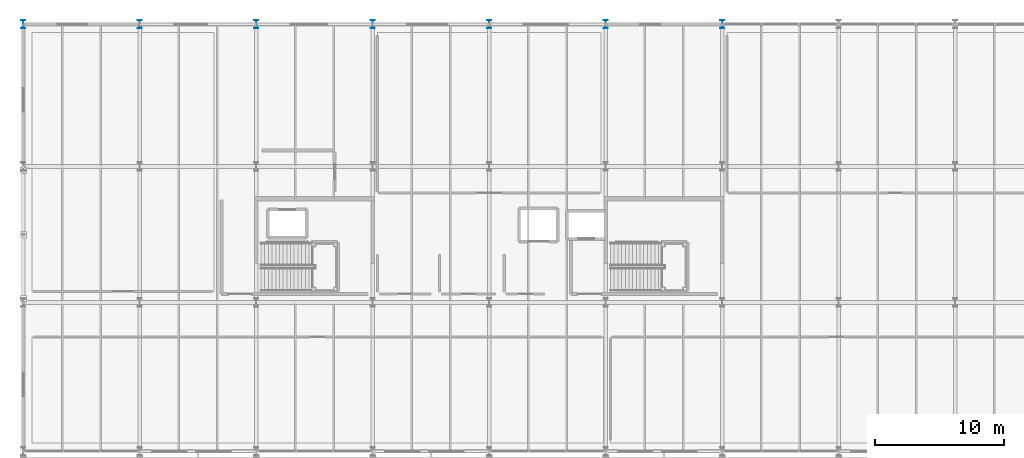
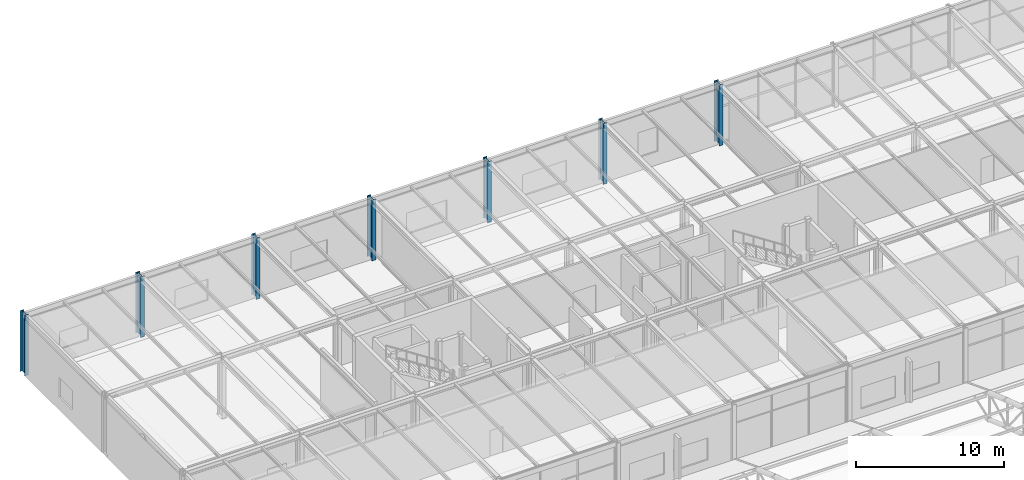
# One storey, part 13 of 195: 7 columns.
"""IFC4 building model written with IfcOpenShell, lengths in metres."""

from ifc_helpers import new_model, si_unit, direction, frame, origin, origin_2d, place, context, subcontext, project, spatial, i_section, extrude, material, material_profile, profile_set, type_object, element, save


model = new_model("IFC4")

# Units and contexts
model_context = context("Model", 3, precision=1e-05, world=origin(), true_north=direction((0.0, 1.0)))
body_context = subcontext(model_context, "Body", "Model", "MODEL_VIEW")
ifc_project = project(units=[si_unit("LENGTHUNIT", "METRE"), si_unit("AREAUNIT", "SQUARE_METRE"), si_unit("VOLUMEUNIT", "CUBIC_METRE"), si_unit("PLANEANGLEUNIT", "RADIAN"), si_unit("MASSUNIT", "GRAM", prefix="KILO")], contexts=[model_context])

# Site, building, storey
site_placement = place(None, origin())
site = spatial("IfcSite", under=ifc_project, at=site_placement, CompositionType="ELEMENT")
building_placement = place(site_placement, origin())
building = spatial("IfcBuilding", under=site, at=building_placement, Name="Marlcrest Central Station", CompositionType="ELEMENT")
storey_placement = place(building_placement, frame((0.0, 0.0, 9.800048828125)))
storey = spatial("IfcBuildingStorey", under=building, at=storey_placement, Name="L02", CompositionType="ELEMENT", Elevation=9.800048828125)

# Columns
ifc_material = material(Name="Steel S355", Category="steel")
ifc_material_profile = material_profile(ifc_material, i_section(OverallWidth=0.300048828125, OverallDepth=0.64990234375, WebThickness=0.01611328125, FlangeThickness=0.031005859375, FilletRadius=0.027099609375, at=origin_2d()), Name="HEB 650")
ifc_profile_set = profile_set([ifc_material_profile], Name="Steel S355")
column_type = type_object("IfcColumnType", Name="SC-06", PredefinedType="COLUMN", material=ifc_profile_set)
for number, where, z_axis, x_axis, name in (
    (1, (0.0, 132.0, 0.0), (0.0, 0.0, 1.0), (1.0, 0.0, 0.0), "col-SC-06-L02-0120"),
    (2, (9.0, 132.0, 0.0), (0.0, 0.0, 1.0), (1.0, 0.0, 0.0), "col-SC-06-L02-0124"),
    (3, (18.0, 132.0, 0.0), (0.0, 0.0, 1.0), (1.0, 0.0, 0.0), "col-SC-06-L02-0128"),
    (4, (27.0, 132.0, 0.0), (0.0, 0.0, 1.0), (1.0, 0.0, 0.0), "col-SC-06-L02-0132"),
    (5, (36.0, 132.0, 0.0), (0.0, 0.0, 1.0), (1.0, 0.0, 0.0), "col-SC-06-L02-0136"),
    (6, (45.0, 132.0, 0.0), (0.0, 0.0, 1.0), (1.0, 0.0, 0.0), "col-SC-06-L02-0140"),
    (7, (54.0, 132.0, 0.0), (0.0, 0.0, 1.0), (1.0, 0.0, 0.0), "col-SC-06-L02-0144"),
):
    element("IfcColumn", number, at=place(storey_placement, frame(where, z_axis=z_axis, x_axis=x_axis)), inside=storey, type_object=column_type, Name=name, PredefinedType="COLUMN", context=body_context, shape_type="SweptSolid", body=[
        extrude(i_section(OverallWidth=0.300048828125, OverallDepth=0.64990234375, WebThickness=0.01611328125, FlangeThickness=0.031005859375, FilletRadius=0.027099609375, at=origin_2d()), origin(), (0.0, 0.0, 1.0), 5.0),
    ])

save(model, "model.ifc")
